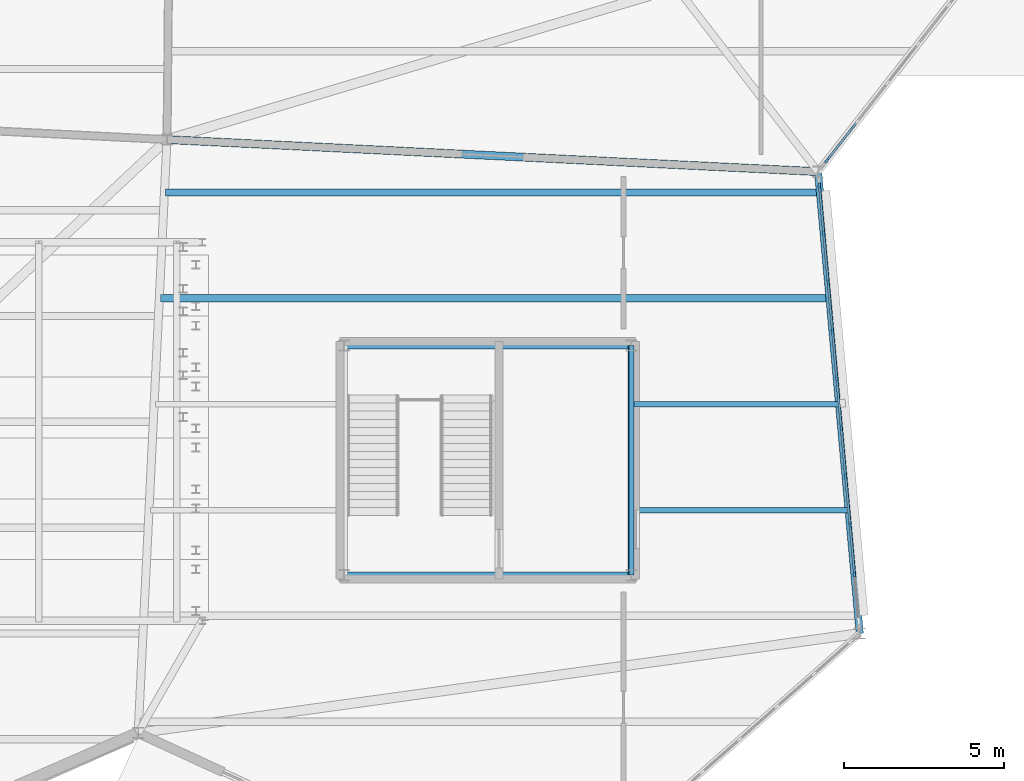
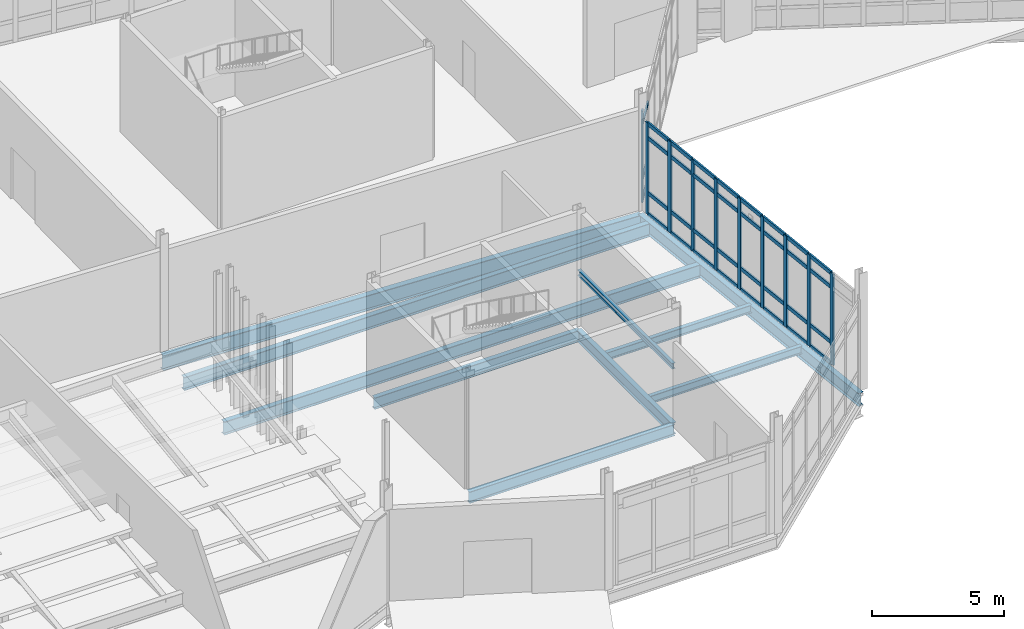
# One storey, part 27 of 113: 45 members, 10 beams, 2 elements without a shape of their own.
"""IFC4 building model written with IfcOpenShell, lengths in metres."""

from ifc_helpers import new_model, si_unit, direction, frame, origin, origin_2d, place, context, subcontext, project, spatial, rectangle, i_section, extrude, material, material_profile, profile_set, type_object, element, aggregate, save


model = new_model("IFC4")

# Units and contexts
model_context = context("Model", 3, precision=1e-05, world=origin(), true_north=direction((0.0, 1.0)))
body_context = subcontext(model_context, "Body", "Model", "MODEL_VIEW")
ifc_project = project(units=[si_unit("LENGTHUNIT", "METRE"), si_unit("AREAUNIT", "SQUARE_METRE"), si_unit("VOLUMEUNIT", "CUBIC_METRE"), si_unit("PLANEANGLEUNIT", "RADIAN"), si_unit("MASSUNIT", "GRAM", prefix="KILO")], contexts=[model_context])

# Site, building, storey
site_placement = place(None, origin())
site = spatial("IfcSite", under=ifc_project, at=site_placement, CompositionType="ELEMENT")
building_placement = place(site_placement, origin())
building = spatial("IfcBuilding", under=site, at=building_placement, Name="Tameran Prism Museum", CompositionType="ELEMENT")
storey_placement = place(building_placement, origin())
storey = spatial("IfcBuildingStorey", under=building, at=storey_placement, Name="L00", CompositionType="ELEMENT", Elevation=0.0)

# Beams
ifc_material_1 = material(Name="Steel Grade 300PLUS (300 MPa)", Category="steel")
ifc_material_profile_1 = material_profile(ifc_material_1, i_section(OverallWidth=0.172119140625, OverallDepth=0.35888671875, WebThickness=0.008056640625, FlangeThickness=0.012939453125, FilletRadius=0.011474609375, at=origin_2d()))
ifc_profile_set_1 = profile_set([ifc_material_profile_1])
beam_type_1 = type_object("IfcBeamType", Name="BM-J360A", PredefinedType="JOIST", material=ifc_profile_set_1)
beam_1_placement = place(storey_placement, frame((37.97998046875, 13.75, -0.41943359375), z_axis=(1.0, 0.0, 0.0), x_axis=(0.0, 1.0, 0.0)))
element("IfcBeam", 1, at=beam_1_placement, inside=storey, type_object=beam_type_1, Name="Floor Beam BM-0264", PredefinedType="JOIST", context=body_context, shape_type="SweptSolid", body=[
    extrude(i_section(OverallWidth=0.172119140625, OverallDepth=0.35888671875, WebThickness=0.008056640625, FlangeThickness=0.012939453125, FilletRadius=0.011474609375, at=origin_2d()), origin(), (0.0, 0.0, 1.0), 6.43408203125),
])
ifc_material_2 = material(Name="Steel Grade 300PLUS (300 MPa)", Category="steel")
ifc_material_profile_2 = material_profile(ifc_material_2, i_section(OverallWidth=0.1708984375, OverallDepth=0.35595703125, WebThickness=0.00732421875, FlangeThickness=0.011474609375, FilletRadius=0.011474609375, at=origin_2d()))
ifc_profile_set_2 = profile_set([ifc_material_profile_2])
beam_type_2 = type_object("IfcBeamType", Name="BM-J360B", PredefinedType="JOIST", material=ifc_profile_set_2)
beam_2_placement = place(storey_placement, frame((37.97998046875, 10.449951171875, -0.41796875), z_axis=(1.0, 0.0, 0.0), x_axis=(0.0, 1.0, 0.0)))
element("IfcBeam", 2, at=beam_2_placement, inside=storey, type_object=beam_type_2, Name="Floor Beam BM-0262", PredefinedType="JOIST", context=body_context, shape_type="SweptSolid", body=[
    extrude(i_section(OverallWidth=0.1708984375, OverallDepth=0.35595703125, WebThickness=0.00732421875, FlangeThickness=0.011474609375, FilletRadius=0.011474609375, at=origin_2d()), origin(), (0.0, 0.0, 1.0), 6.73193359375),
])
ifc_material_3 = material(Name="Steel Grade 300PLUS (300 MPa)", Category="steel")
ifc_material_profile_3 = material_profile(ifc_material_3, i_section(OverallWidth=0.14599609375, OverallDepth=0.256103515625, WebThickness=0.00634765625, FlangeThickness=0.010986328125, FilletRadius=0.0087890625, at=origin_2d()))
ifc_profile_set_3 = profile_set([ifc_material_profile_3])
beam_type_3 = type_object("IfcBeamType", Name="BM-L250", PredefinedType="LINTEL", material=ifc_profile_set_3)
beam_3_placement = place(storey_placement, frame((37.97998046875, 8.419921875, 2.3798828125), z_axis=(0.0, 1.0, 0.0), x_axis=(-1.0, 0.0, 0.0)))
element("IfcBeam", 3, at=beam_3_placement, inside=storey, type_object=beam_type_3, Name="Core Door Lintel LN-08", PredefinedType="LINTEL", context=body_context, shape_type="SweptSolid", body=[
    extrude(i_section(OverallWidth=0.14599609375, OverallDepth=0.256103515625, WebThickness=0.00634765625, FlangeThickness=0.010986328125, FilletRadius=0.0087890625, at=origin_2d()), origin(), (0.0, 0.0, 1.0), 7.16015625),
])
ifc_material_4 = material(Name="Steel Grade 300PLUS (300 MPa)", Category="steel")
ifc_material_profile_4 = material_profile(ifc_material_4, i_section(OverallWidth=0.208984375, OverallDepth=0.528076171875, WebThickness=0.009521484375, FlangeThickness=0.01318359375, FilletRadius=0.013916015625, at=origin_2d()))
ifc_profile_set_4 = profile_set([ifc_material_profile_4])
beam_type_4 = type_object("IfcBeamType", Name="BM-SP530B", PredefinedType="SPANDREL", material=ifc_profile_set_4)
beam_4_placement = place(storey_placement, frame((29.02001953125, 8.419921875, -0.50390625), z_axis=(1.0, 0.0, 0.0), x_axis=(0.0, 1.0, 0.0)))
element("IfcBeam", 4, at=beam_4_placement, inside=storey, type_object=beam_type_4, Name="Core Ring Beam CTB-0130", PredefinedType="SPANDREL", context=body_context, shape_type="SweptSolid", body=[
    extrude(i_section(OverallWidth=0.208984375, OverallDepth=0.528076171875, WebThickness=0.009521484375, FlangeThickness=0.01318359375, FilletRadius=0.013916015625, at=origin_2d()), origin(), (0.0, 0.0, 1.0), 8.9599609375),
])
beam_5_placement = place(storey_placement, frame((37.97998046875, 8.419921875, -0.50390625), z_axis=(0.0, 1.0, 0.0), x_axis=(-1.0, 0.0, 0.0)))
element("IfcBeam", 5, at=beam_5_placement, inside=storey, type_object=beam_type_4, Name="Core Ring Beam CTB-0131", PredefinedType="SPANDREL", context=body_context, shape_type="SweptSolid", body=[
    extrude(i_section(OverallWidth=0.208984375, OverallDepth=0.528076171875, WebThickness=0.009521484375, FlangeThickness=0.01318359375, FilletRadius=0.013916015625, at=origin_2d()), origin(), (0.0, 0.0, 1.0), 7.16015625),
])
beam_6_placement = place(storey_placement, frame((37.97998046875, 15.580078125, -0.50390625), z_axis=(-1.0, 0.0, 0.0), x_axis=(0.0, -1.0, 0.0)))
element("IfcBeam", 6, at=beam_6_placement, inside=storey, type_object=beam_type_4, Name="Core Ring Beam CTB-0132", PredefinedType="SPANDREL", context=body_context, shape_type="SweptSolid", body=[
    extrude(i_section(OverallWidth=0.208984375, OverallDepth=0.528076171875, WebThickness=0.009521484375, FlangeThickness=0.01318359375, FilletRadius=0.013916015625, at=origin_2d()), origin(), (0.0, 0.0, 1.0), 8.9599609375),
])
ifc_material_5 = material(Name="Steel Grade 300PLUS (300 MPa)", Category="steel")
ifc_material_profile_5 = material_profile(ifc_material_5, i_section(OverallWidth=0.22802734375, OverallDepth=0.60205078125, WebThickness=0.010498046875, FlangeThickness=0.014892578125, FilletRadius=0.013916015625, at=origin_2d()))
ifc_profile_set_5 = profile_set([ifc_material_profile_5])
beam_type_5 = type_object("IfcBeamType", Name="BM-SP610", PredefinedType="SPANDREL", material=ifc_profile_set_5)
beam_7_placement = place(storey_placement, frame((45.10009765625, 6.60009765625, -0.541015625), z_axis=(-0.089916080565, 0.995949345326, 0.0), x_axis=(-0.995949345326, -0.089916080565, 0.0)))
element("IfcBeam", 7, at=beam_7_placement, inside=storey, type_object=beam_type_5, Name="Perimeter Spandrel SP-0065", PredefinedType="SPANDREL", context=body_context, shape_type="SweptSolid", body=[
    extrude(i_section(OverallWidth=0.22802734375, OverallDepth=0.60205078125, WebThickness=0.010498046875, FlangeThickness=0.014892578125, FilletRadius=0.013916015625, at=origin_2d()), origin(), (0.0, 0.0, 1.0), 14.45849609375),
])
ifc_material_6 = material(Name="Steel Grade 350 (350 MPa)", Category="steel")
ifc_material_profile_6 = material_profile(ifc_material_6, i_section(OverallWidth=0.25, OverallDepth=0.699951171875, WebThickness=0.010009765625, FlangeThickness=0.02001953125, at=origin_2d()))
ifc_profile_set_6 = profile_set([ifc_material_profile_6])
beam_type_6 = type_object("IfcBeamType", Name="BM-SP700", PredefinedType="SPANDREL", material=ifc_profile_set_6)
beam_8_placement = place(storey_placement, frame((43.800048828125, 21.0, -0.590087890625), z_axis=(-0.998788882418, 0.049201304434, 0.0), x_axis=(-0.049201304434, -0.998788882418, 0.0)))
element("IfcBeam", 8, at=beam_8_placement, inside=storey, type_object=beam_type_6, Name="Perimeter Spandrel SP-0066", PredefinedType="SPANDREL", context=body_context, shape_type="SweptSolid", body=[
    extrude(i_section(OverallWidth=0.25, OverallDepth=0.699951171875, WebThickness=0.010009765625, FlangeThickness=0.02001953125, at=origin_2d()), origin(), (0.0, 0.0, 1.0), 20.32470703125),
])
ifc_material_7 = material(Name="Steel Grade 300PLUS (300 MPa)", Category="steel")
ifc_material_profile_7 = material_profile(ifc_material_7, i_section(OverallWidth=0.22802734375, OverallDepth=0.60693359375, WebThickness=0.01123046875, FlangeThickness=0.017333984375, FilletRadius=0.013916015625, at=origin_2d()))
ifc_profile_set_7 = profile_set([ifc_material_profile_7])
beam_type_7 = type_object("IfcBeamType", Name="BM-UB610B", PredefinedType="BEAM", material=ifc_profile_set_7)
beam_9_placement = place(storey_placement, frame((23.299072265625, 17.050048828125, -0.54345703125), z_axis=(1.0, 0.0, 0.0), x_axis=(0.0, 1.0, 0.0)))
element("IfcBeam", 9, at=beam_9_placement, inside=storey, type_object=beam_type_7, Name="Floor Beam BM-0265", PredefinedType="BEAM", context=body_context, shape_type="SweptSolid", body=[
    extrude(i_section(OverallWidth=0.22802734375, OverallDepth=0.60693359375, WebThickness=0.01123046875, FlangeThickness=0.017333984375, FilletRadius=0.013916015625, at=origin_2d()), origin(), (0.0, 0.0, 1.0), 20.81689453125),
])
beam_10_placement = place(storey_placement, frame((23.4599609375, 20.35009765625, -0.54345703125), z_axis=(1.0, 0.0, 0.0), x_axis=(0.0, 1.0, 0.0)))
element("IfcBeam", 10, at=beam_10_placement, inside=storey, type_object=beam_type_7, Name="Floor Beam BM-0266", PredefinedType="BEAM", context=body_context, shape_type="SweptSolid", body=[
    extrude(i_section(OverallWidth=0.22802734375, OverallDepth=0.60693359375, WebThickness=0.01123046875, FlangeThickness=0.017333984375, FilletRadius=0.013916015625, at=origin_2d()), origin(), (0.0, 0.0, 1.0), 20.359130859375),
])

# Curtain wall, member
ifc_material_8 = material(Name="Anodised Aluminium 6063-T6 and Cyclone Solar Glass", Category="aluminium")
curtain_wall_type_1 = type_object("IfcCurtainWallType", Name="CW-FAC-1086x422", PredefinedType="USERDEFINED", material=ifc_material_8)
curtain_wall_1_placement = place(storey_placement, origin())
curtain_wall_1 = element("IfcCurtainWall", 11, at=curtain_wall_1_placement, inside=storey, type_object=curtain_wall_type_1, Name="Unitised Curtain Wall CW-048", ObjectType="UNITISED CURTAIN WALL", PredefinedType="USERDEFINED")
ifc_material_9 = material(Name="Anodised Aluminium Alloy 6063-T6", Category="aluminium")
ifc_material_profile_8 = material_profile(ifc_material_9, rectangle(XDim=0.070068359375, YDim=0.179931640625, at=origin_2d()))
ifc_profile_set_8 = profile_set([ifc_material_profile_8])
member_type_1 = type_object("IfcMemberType", Name="CW-MUL-B", PredefinedType="MULLION", material=ifc_profile_set_8)
member_1_placement = place(storey_placement, frame((44.074462890625, 21.3505859375, 0.0), z_axis=(0.0, 0.0, 1.0), x_axis=(0.787524428179, -0.616283437245, 0.0)))
member_1 = element("IfcMember", 12, at=member_1_placement, type_object=member_type_1, Name="CW-048 mullion 8", PredefinedType="MULLION", context=body_context, shape_type="SweptSolid", body=[
    extrude(rectangle(XDim=0.070068359375, YDim=0.179931640625, at=origin_2d()), origin(), (0.0, 0.0, 1.0), 4.219970703125),
])

# Curtain wall, members
ifc_material_10 = material(Name="Anodised Aluminium 6063-T6 and Cyclone Solar Glass", Category="aluminium")
curtain_wall_type_2 = type_object("IfcCurtainWallType", Name="CW-FAC-1370x422", PredefinedType="USERDEFINED", material=ifc_material_10)
curtain_wall_2_placement = place(storey_placement, origin())
curtain_wall_2 = element("IfcCurtainWall", 13, at=curtain_wall_2_placement, inside=storey, type_object=curtain_wall_type_2, Name="Unitised Curtain Wall CW-045", ObjectType="UNITISED CURTAIN WALL", PredefinedType="USERDEFINED")
ifc_material_11 = material(Name="Anodised Aluminium Alloy 6063-T6", Category="aluminium")
ifc_material_profile_9 = material_profile(ifc_material_11, rectangle(XDim=0.074951171875, YDim=0.199951171875, at=origin_2d()))
ifc_profile_set_9 = profile_set([ifc_material_profile_9])
member_type_2 = type_object("IfcMemberType", Name="CW-MUL-C", PredefinedType="MULLION", material=ifc_profile_set_9)
member_2_placement = place(storey_placement, frame((43.83935546875, 20.5537109375, 0.0), z_axis=(0.0, 0.0, 1.0), x_axis=(0.995940344723, 0.090015719474, 0.0)))
member_2 = element("IfcMember", 14, at=member_2_placement, type_object=member_type_2, Name="CW-045 mullion 1", PredefinedType="MULLION", context=body_context, shape_type="SweptSolid", body=[
    extrude(rectangle(XDim=0.074951171875, YDim=0.199951171875, at=origin_2d()), origin(), (0.0, 0.0, 1.0), 4.219970703125),
])
member_3_placement = place(storey_placement, frame((43.972900390625, 19.0751953125, 0.0), z_axis=(0.0, 0.0, 1.0), x_axis=(0.995940344723, 0.090015719474, 0.0)))
member_3 = element("IfcMember", 15, at=member_3_placement, type_object=member_type_2, Name="CW-045 mullion 2", PredefinedType="MULLION", context=body_context, shape_type="SweptSolid", body=[
    extrude(rectangle(XDim=0.074951171875, YDim=0.199951171875, at=origin_2d()), origin(), (0.0, 0.0, 1.0), 4.219970703125),
])
member_4_placement = place(storey_placement, frame((44.110107421875, 17.559326171875, 0.0), z_axis=(0.0, 0.0, 1.0), x_axis=(0.995940344723, 0.090015719474, 0.0)))
member_4 = element("IfcMember", 16, at=member_4_placement, type_object=member_type_2, Name="CW-045 mullion 3", PredefinedType="MULLION", context=body_context, shape_type="SweptSolid", body=[
    extrude(rectangle(XDim=0.074951171875, YDim=0.199951171875, at=origin_2d()), origin(), (0.0, 0.0, 1.0), 4.219970703125),
])
member_5_placement = place(storey_placement, frame((44.2470703125, 16.043701171875, 0.0), z_axis=(0.0, 0.0, 1.0), x_axis=(0.995940344723, 0.090015719474, 0.0)))
member_5 = element("IfcMember", 17, at=member_5_placement, type_object=member_type_2, Name="CW-045 mullion 4", PredefinedType="MULLION", context=body_context, shape_type="SweptSolid", body=[
    extrude(rectangle(XDim=0.074951171875, YDim=0.199951171875, at=origin_2d()), origin(), (0.0, 0.0, 1.0), 4.219970703125),
])
member_6_placement = place(storey_placement, frame((44.384033203125, 14.52783203125, 0.0), z_axis=(0.0, 0.0, 1.0), x_axis=(0.995940344723, 0.090015719474, 0.0)))
member_6 = element("IfcMember", 18, at=member_6_placement, type_object=member_type_2, Name="CW-045 mullion 5", PredefinedType="MULLION", context=body_context, shape_type="SweptSolid", body=[
    extrude(rectangle(XDim=0.074951171875, YDim=0.199951171875, at=origin_2d()), origin(), (0.0, 0.0, 1.0), 4.219970703125),
])
member_7_placement = place(storey_placement, frame((44.52099609375, 13.01220703125, 0.0), z_axis=(0.0, 0.0, 1.0), x_axis=(0.995940344723, 0.090015719474, 0.0)))
member_7 = element("IfcMember", 19, at=member_7_placement, type_object=member_type_2, Name="CW-045 mullion 6", PredefinedType="MULLION", context=body_context, shape_type="SweptSolid", body=[
    extrude(rectangle(XDim=0.074951171875, YDim=0.199951171875, at=origin_2d()), origin(), (0.0, 0.0, 1.0), 4.219970703125),
])
member_8_placement = place(storey_placement, frame((44.657958984375, 11.496337890625, 0.0), z_axis=(0.0, 0.0, 1.0), x_axis=(0.995940344723, 0.090015719474, 0.0)))
member_8 = element("IfcMember", 20, at=member_8_placement, type_object=member_type_2, Name="CW-045 mullion 7", PredefinedType="MULLION", context=body_context, shape_type="SweptSolid", body=[
    extrude(rectangle(XDim=0.074951171875, YDim=0.199951171875, at=origin_2d()), origin(), (0.0, 0.0, 1.0), 4.219970703125),
])
member_9_placement = place(storey_placement, frame((44.794921875, 9.98046875, 0.0), z_axis=(0.0, 0.0, 1.0), x_axis=(0.995940344723, 0.090015719474, 0.0)))
member_9 = element("IfcMember", 21, at=member_9_placement, type_object=member_type_2, Name="CW-045 mullion 8", PredefinedType="MULLION", context=body_context, shape_type="SweptSolid", body=[
    extrude(rectangle(XDim=0.074951171875, YDim=0.199951171875, at=origin_2d()), origin(), (0.0, 0.0, 1.0), 4.219970703125),
])
member_10_placement = place(storey_placement, frame((44.931884765625, 8.46484375, 0.0), z_axis=(0.0, 0.0, 1.0), x_axis=(0.995940344723, 0.090015719474, 0.0)))
member_10 = element("IfcMember", 22, at=member_10_placement, type_object=member_type_2, Name="CW-045 mullion 9", PredefinedType="MULLION", context=body_context, shape_type="SweptSolid", body=[
    extrude(rectangle(XDim=0.074951171875, YDim=0.199951171875, at=origin_2d()), origin(), (0.0, 0.0, 1.0), 4.219970703125),
])

# Member
ifc_material_12 = material(Name="Anodised Aluminium Alloy 6063-T6", Category="aluminium")
ifc_material_profile_10 = material_profile(ifc_material_12, rectangle(XDim=0.070068359375, YDim=0.155029296875, at=origin_2d()))
ifc_profile_set_10 = profile_set([ifc_material_profile_10])
member_type_3 = type_object("IfcMemberType", Name="CW-TRN-B", PredefinedType="USERDEFINED", material=ifc_profile_set_10)
member_11_placement = place(storey_placement, frame((44.98779296875, 22.517333984375, 0.034912109375), z_axis=(-0.616344666052, -0.787476509255, 0.0), x_axis=(0.787476509255, -0.616344666052, 0.0)))
member_11 = element("IfcMember", 23, at=member_11_placement, type_object=member_type_3, Name="CW-048 transom 7.1", ObjectType="TRANSOM", PredefinedType="USERDEFINED", context=body_context, shape_type="SweptSolid", body=[
    extrude(rectangle(XDim=0.070068359375, YDim=0.155029296875, at=origin_2d()), origin(), (0.0, 0.0, 1.0), 1.446533203125),
])

member_12_placement = place(storey_placement, frame((44.98779296875, 22.517333984375, 1.0), z_axis=(-0.616344666052, -0.787476509255, 0.0), x_axis=(0.787476509255, -0.616344666052, 0.0)))
member_12 = element("IfcMember", 24, at=member_12_placement, type_object=member_type_3, Name="CW-048 transom 7.2", ObjectType="TRANSOM", PredefinedType="USERDEFINED", context=body_context, shape_type="SweptSolid", body=[
    extrude(rectangle(XDim=0.070068359375, YDim=0.155029296875, at=origin_2d()), origin(), (0.0, 0.0, 1.0), 1.446533203125),
])

member_13_placement = place(storey_placement, frame((44.98779296875, 22.517333984375, 3.5400390625), z_axis=(-0.616344666052, -0.787476509255, 0.0), x_axis=(0.787476509255, -0.616344666052, 0.0)))
member_13 = element("IfcMember", 25, at=member_13_placement, type_object=member_type_3, Name="CW-048 transom 7.3", ObjectType="TRANSOM", PredefinedType="USERDEFINED", context=body_context, shape_type="SweptSolid", body=[
    extrude(rectangle(XDim=0.070068359375, YDim=0.155029296875, at=origin_2d()), origin(), (0.0, 0.0, 1.0), 1.446533203125),
])

aggregate(curtain_wall_1, [member_1, member_11, member_12, member_13])

ifc_material_13 = material(Name="Anodised Aluminium Alloy 6063-T6", Category="aluminium")
ifc_material_profile_11 = material_profile(ifc_material_13, rectangle(XDim=0.074951171875, YDim=0.175048828125, at=origin_2d()))
ifc_profile_set_11 = profile_set([ifc_material_profile_11])
member_type_4 = type_object("IfcMemberType", Name="CW-TRN-C", PredefinedType="USERDEFINED", material=ifc_profile_set_11)
member_14_placement = place(storey_placement, frame((43.8427734375, 20.516357421875, 0.03759765625), z_axis=(0.090067227432, -0.995935687955, 0.0), x_axis=(0.995935687955, 0.090067227432, 0.0)))
member_14 = element("IfcMember", 26, at=member_14_placement, type_object=member_type_4, Name="CW-045 transom 1.1", ObjectType="TRANSOM", PredefinedType="USERDEFINED", context=body_context, shape_type="SweptSolid", body=[
    extrude(rectangle(XDim=0.074951171875, YDim=0.175048828125, at=origin_2d()), origin(), (0.0, 0.0, 1.0), 1.409423828125),
])

member_15_placement = place(storey_placement, frame((43.8427734375, 20.516357421875, 1.0), z_axis=(0.090067227432, -0.995935687955, 0.0), x_axis=(0.995935687955, 0.090067227432, 0.0)))
member_15 = element("IfcMember", 27, at=member_15_placement, type_object=member_type_4, Name="CW-045 transom 1.2", ObjectType="TRANSOM", PredefinedType="USERDEFINED", context=body_context, shape_type="SweptSolid", body=[
    extrude(rectangle(XDim=0.074951171875, YDim=0.175048828125, at=origin_2d()), origin(), (0.0, 0.0, 1.0), 1.409423828125),
])

member_16_placement = place(storey_placement, frame((43.8427734375, 20.516357421875, 3.5400390625), z_axis=(0.090067227432, -0.995935687955, 0.0), x_axis=(0.995935687955, 0.090067227432, 0.0)))
member_16 = element("IfcMember", 28, at=member_16_placement, type_object=member_type_4, Name="CW-045 transom 1.3", ObjectType="TRANSOM", PredefinedType="USERDEFINED", context=body_context, shape_type="SweptSolid", body=[
    extrude(rectangle(XDim=0.074951171875, YDim=0.175048828125, at=origin_2d()), origin(), (0.0, 0.0, 1.0), 1.409423828125),
])

member_17_placement = place(storey_placement, frame((43.8427734375, 20.516357421875, 4.1826171875), z_axis=(0.090067227432, -0.995935687955, 0.0), x_axis=(0.995935687955, 0.090067227432, 0.0)))
member_17 = element("IfcMember", 29, at=member_17_placement, type_object=member_type_4, Name="CW-045 transom 1.4", ObjectType="TRANSOM", PredefinedType="USERDEFINED", context=body_context, shape_type="SweptSolid", body=[
    extrude(rectangle(XDim=0.074951171875, YDim=0.175048828125, at=origin_2d()), origin(), (0.0, 0.0, 1.0), 1.409423828125),
])

member_18_placement = place(storey_placement, frame((43.976318359375, 19.037841796875, 0.03759765625), z_axis=(0.090094585127, -0.995933213489, 0.0), x_axis=(0.995933213489, 0.090094585127, 0.0)))
member_18 = element("IfcMember", 30, at=member_18_placement, type_object=member_type_4, Name="CW-045 transom 2.1", ObjectType="TRANSOM", PredefinedType="USERDEFINED", context=body_context, shape_type="SweptSolid", body=[
    extrude(rectangle(XDim=0.074951171875, YDim=0.175048828125, at=origin_2d()), origin(), (0.0, 0.0, 1.0), 1.447021484375),
])

member_19_placement = place(storey_placement, frame((43.976318359375, 19.037841796875, 1.0), z_axis=(0.090094585127, -0.995933213489, 0.0), x_axis=(0.995933213489, 0.090094585127, 0.0)))
member_19 = element("IfcMember", 31, at=member_19_placement, type_object=member_type_4, Name="CW-045 transom 2.2", ObjectType="TRANSOM", PredefinedType="USERDEFINED", context=body_context, shape_type="SweptSolid", body=[
    extrude(rectangle(XDim=0.074951171875, YDim=0.175048828125, at=origin_2d()), origin(), (0.0, 0.0, 1.0), 1.447021484375),
])

member_20_placement = place(storey_placement, frame((43.976318359375, 19.037841796875, 3.5400390625), z_axis=(0.090094585127, -0.995933213489, 0.0), x_axis=(0.995933213489, 0.090094585127, 0.0)))
member_20 = element("IfcMember", 32, at=member_20_placement, type_object=member_type_4, Name="CW-045 transom 2.3", ObjectType="TRANSOM", PredefinedType="USERDEFINED", context=body_context, shape_type="SweptSolid", body=[
    extrude(rectangle(XDim=0.074951171875, YDim=0.175048828125, at=origin_2d()), origin(), (0.0, 0.0, 1.0), 1.447021484375),
])

member_21_placement = place(storey_placement, frame((43.976318359375, 19.037841796875, 4.1826171875), z_axis=(0.090094585127, -0.995933213489, 0.0), x_axis=(0.995933213489, 0.090094585127, 0.0)))
member_21 = element("IfcMember", 33, at=member_21_placement, type_object=member_type_4, Name="CW-045 transom 2.4", ObjectType="TRANSOM", PredefinedType="USERDEFINED", context=body_context, shape_type="SweptSolid", body=[
    extrude(rectangle(XDim=0.074951171875, YDim=0.175048828125, at=origin_2d()), origin(), (0.0, 0.0, 1.0), 1.447021484375),
])

member_22_placement = place(storey_placement, frame((44.11328125, 17.522216796875, 0.03759765625), z_axis=(0.090094585127, -0.995933213489, 0.0), x_axis=(0.995933213489, 0.090094585127, 0.0)))
member_22 = element("IfcMember", 34, at=member_22_placement, type_object=member_type_4, Name="CW-045 transom 3.1", ObjectType="TRANSOM", PredefinedType="USERDEFINED", context=body_context, shape_type="SweptSolid", body=[
    extrude(rectangle(XDim=0.074951171875, YDim=0.175048828125, at=origin_2d()), origin(), (0.0, 0.0, 1.0), 1.447021484375),
])

member_23_placement = place(storey_placement, frame((44.11328125, 17.522216796875, 1.0), z_axis=(0.090094585127, -0.995933213489, 0.0), x_axis=(0.995933213489, 0.090094585127, 0.0)))
member_23 = element("IfcMember", 35, at=member_23_placement, type_object=member_type_4, Name="CW-045 transom 3.2", ObjectType="TRANSOM", PredefinedType="USERDEFINED", context=body_context, shape_type="SweptSolid", body=[
    extrude(rectangle(XDim=0.074951171875, YDim=0.175048828125, at=origin_2d()), origin(), (0.0, 0.0, 1.0), 1.447021484375),
])

member_24_placement = place(storey_placement, frame((44.11328125, 17.522216796875, 3.5400390625), z_axis=(0.090094585127, -0.995933213489, 0.0), x_axis=(0.995933213489, 0.090094585127, 0.0)))
member_24 = element("IfcMember", 36, at=member_24_placement, type_object=member_type_4, Name="CW-045 transom 3.3", ObjectType="TRANSOM", PredefinedType="USERDEFINED", context=body_context, shape_type="SweptSolid", body=[
    extrude(rectangle(XDim=0.074951171875, YDim=0.175048828125, at=origin_2d()), origin(), (0.0, 0.0, 1.0), 1.447021484375),
])

member_25_placement = place(storey_placement, frame((44.11328125, 17.522216796875, 4.1826171875), z_axis=(0.090094585127, -0.995933213489, 0.0), x_axis=(0.995933213489, 0.090094585127, 0.0)))
member_25 = element("IfcMember", 37, at=member_25_placement, type_object=member_type_4, Name="CW-045 transom 3.4", ObjectType="TRANSOM", PredefinedType="USERDEFINED", context=body_context, shape_type="SweptSolid", body=[
    extrude(rectangle(XDim=0.074951171875, YDim=0.175048828125, at=origin_2d()), origin(), (0.0, 0.0, 1.0), 1.447021484375),
])

member_26_placement = place(storey_placement, frame((44.25048828125, 16.00634765625, 0.03759765625), z_axis=(0.089927234339, -0.995948338281, 0.0), x_axis=(0.995948338281, 0.089927234339, 0.0)))
member_26 = element("IfcMember", 38, at=member_26_placement, type_object=member_type_4, Name="CW-045 transom 4.1", ObjectType="TRANSOM", PredefinedType="USERDEFINED", context=body_context, shape_type="SweptSolid", body=[
    extrude(rectangle(XDim=0.074951171875, YDim=0.175048828125, at=origin_2d()), origin(), (0.0, 0.0, 1.0), 1.447021484375),
])

member_27_placement = place(storey_placement, frame((44.25048828125, 16.00634765625, 1.0), z_axis=(0.089927234339, -0.995948338281, 0.0), x_axis=(0.995948338281, 0.089927234339, 0.0)))
member_27 = element("IfcMember", 39, at=member_27_placement, type_object=member_type_4, Name="CW-045 transom 4.2", ObjectType="TRANSOM", PredefinedType="USERDEFINED", context=body_context, shape_type="SweptSolid", body=[
    extrude(rectangle(XDim=0.074951171875, YDim=0.175048828125, at=origin_2d()), origin(), (0.0, 0.0, 1.0), 1.447021484375),
])

member_28_placement = place(storey_placement, frame((44.25048828125, 16.00634765625, 3.5400390625), z_axis=(0.089927234339, -0.995948338281, 0.0), x_axis=(0.995948338281, 0.089927234339, 0.0)))
member_28 = element("IfcMember", 40, at=member_28_placement, type_object=member_type_4, Name="CW-045 transom 4.3", ObjectType="TRANSOM", PredefinedType="USERDEFINED", context=body_context, shape_type="SweptSolid", body=[
    extrude(rectangle(XDim=0.074951171875, YDim=0.175048828125, at=origin_2d()), origin(), (0.0, 0.0, 1.0), 1.447021484375),
])

member_29_placement = place(storey_placement, frame((44.25048828125, 16.00634765625, 4.1826171875), z_axis=(0.089927234339, -0.995948338281, 0.0), x_axis=(0.995948338281, 0.089927234339, 0.0)))
member_29 = element("IfcMember", 41, at=member_29_placement, type_object=member_type_4, Name="CW-045 transom 4.4", ObjectType="TRANSOM", PredefinedType="USERDEFINED", context=body_context, shape_type="SweptSolid", body=[
    extrude(rectangle(XDim=0.074951171875, YDim=0.175048828125, at=origin_2d()), origin(), (0.0, 0.0, 1.0), 1.447021484375),
])

member_30_placement = place(storey_placement, frame((44.387451171875, 14.490478515625, 0.03759765625), z_axis=(0.089942347829, -0.995946973522, 0.0), x_axis=(0.995946973522, 0.089942347829, 0.0)))
member_30 = element("IfcMember", 42, at=member_30_placement, type_object=member_type_4, Name="CW-045 transom 5.1", ObjectType="TRANSOM", PredefinedType="USERDEFINED", context=body_context, shape_type="SweptSolid", body=[
    extrude(rectangle(XDim=0.074951171875, YDim=0.175048828125, at=origin_2d()), origin(), (0.0, 0.0, 1.0), 1.44677734375),
])

member_31_placement = place(storey_placement, frame((44.387451171875, 14.490478515625, 1.0), z_axis=(0.089942347829, -0.995946973522, 0.0), x_axis=(0.995946973522, 0.089942347829, 0.0)))
member_31 = element("IfcMember", 43, at=member_31_placement, type_object=member_type_4, Name="CW-045 transom 5.2", ObjectType="TRANSOM", PredefinedType="USERDEFINED", context=body_context, shape_type="SweptSolid", body=[
    extrude(rectangle(XDim=0.074951171875, YDim=0.175048828125, at=origin_2d()), origin(), (0.0, 0.0, 1.0), 1.44677734375),
])

member_32_placement = place(storey_placement, frame((44.387451171875, 14.490478515625, 3.5400390625), z_axis=(0.089942347829, -0.995946973522, 0.0), x_axis=(0.995946973522, 0.089942347829, 0.0)))
member_32 = element("IfcMember", 44, at=member_32_placement, type_object=member_type_4, Name="CW-045 transom 5.3", ObjectType="TRANSOM", PredefinedType="USERDEFINED", context=body_context, shape_type="SweptSolid", body=[
    extrude(rectangle(XDim=0.074951171875, YDim=0.175048828125, at=origin_2d()), origin(), (0.0, 0.0, 1.0), 1.44677734375),
])

member_33_placement = place(storey_placement, frame((44.387451171875, 14.490478515625, 4.1826171875), z_axis=(0.089942347829, -0.995946973522, 0.0), x_axis=(0.995946973522, 0.089942347829, 0.0)))
member_33 = element("IfcMember", 45, at=member_33_placement, type_object=member_type_4, Name="CW-045 transom 5.4", ObjectType="TRANSOM", PredefinedType="USERDEFINED", context=body_context, shape_type="SweptSolid", body=[
    extrude(rectangle(XDim=0.074951171875, YDim=0.175048828125, at=origin_2d()), origin(), (0.0, 0.0, 1.0), 1.44677734375),
])

member_34_placement = place(storey_placement, frame((44.5244140625, 12.974853515625, 0.03759765625), z_axis=(0.089927234339, -0.995948338281, 0.0), x_axis=(0.995948338281, 0.089927234339, 0.0)))
member_34 = element("IfcMember", 46, at=member_34_placement, type_object=member_type_4, Name="CW-045 transom 6.1", ObjectType="TRANSOM", PredefinedType="USERDEFINED", context=body_context, shape_type="SweptSolid", body=[
    extrude(rectangle(XDim=0.074951171875, YDim=0.175048828125, at=origin_2d()), origin(), (0.0, 0.0, 1.0), 1.447021484375),
])

member_35_placement = place(storey_placement, frame((44.5244140625, 12.974853515625, 1.0), z_axis=(0.089927234339, -0.995948338281, 0.0), x_axis=(0.995948338281, 0.089927234339, 0.0)))
member_35 = element("IfcMember", 47, at=member_35_placement, type_object=member_type_4, Name="CW-045 transom 6.2", ObjectType="TRANSOM", PredefinedType="USERDEFINED", context=body_context, shape_type="SweptSolid", body=[
    extrude(rectangle(XDim=0.074951171875, YDim=0.175048828125, at=origin_2d()), origin(), (0.0, 0.0, 1.0), 1.447021484375),
])

member_36_placement = place(storey_placement, frame((44.5244140625, 12.974853515625, 3.5400390625), z_axis=(0.089927234339, -0.995948338281, 0.0), x_axis=(0.995948338281, 0.089927234339, 0.0)))
member_36 = element("IfcMember", 48, at=member_36_placement, type_object=member_type_4, Name="CW-045 transom 6.3", ObjectType="TRANSOM", PredefinedType="USERDEFINED", context=body_context, shape_type="SweptSolid", body=[
    extrude(rectangle(XDim=0.074951171875, YDim=0.175048828125, at=origin_2d()), origin(), (0.0, 0.0, 1.0), 1.447021484375),
])

member_37_placement = place(storey_placement, frame((44.5244140625, 12.974853515625, 4.1826171875), z_axis=(0.089927234339, -0.995948338281, 0.0), x_axis=(0.995948338281, 0.089927234339, 0.0)))
member_37 = element("IfcMember", 49, at=member_37_placement, type_object=member_type_4, Name="CW-045 transom 6.4", ObjectType="TRANSOM", PredefinedType="USERDEFINED", context=body_context, shape_type="SweptSolid", body=[
    extrude(rectangle(XDim=0.074951171875, YDim=0.175048828125, at=origin_2d()), origin(), (0.0, 0.0, 1.0), 1.447021484375),
])

member_38_placement = place(storey_placement, frame((44.661376953125, 11.458984375, 0.03759765625), z_axis=(0.089927234339, -0.995948338281, 0.0), x_axis=(0.995948338281, 0.089927234339, 0.0)))
member_38 = element("IfcMember", 50, at=member_38_placement, type_object=member_type_4, Name="CW-045 transom 7.1", ObjectType="TRANSOM", PredefinedType="USERDEFINED", context=body_context, shape_type="SweptSolid", body=[
    extrude(rectangle(XDim=0.074951171875, YDim=0.175048828125, at=origin_2d()), origin(), (0.0, 0.0, 1.0), 1.447021484375),
])

member_39_placement = place(storey_placement, frame((44.661376953125, 11.458984375, 1.0), z_axis=(0.089927234339, -0.995948338281, 0.0), x_axis=(0.995948338281, 0.089927234339, 0.0)))
member_39 = element("IfcMember", 51, at=member_39_placement, type_object=member_type_4, Name="CW-045 transom 7.2", ObjectType="TRANSOM", PredefinedType="USERDEFINED", context=body_context, shape_type="SweptSolid", body=[
    extrude(rectangle(XDim=0.074951171875, YDim=0.175048828125, at=origin_2d()), origin(), (0.0, 0.0, 1.0), 1.447021484375),
])

member_40_placement = place(storey_placement, frame((44.661376953125, 11.458984375, 3.5400390625), z_axis=(0.089927234339, -0.995948338281, 0.0), x_axis=(0.995948338281, 0.089927234339, 0.0)))
member_40 = element("IfcMember", 52, at=member_40_placement, type_object=member_type_4, Name="CW-045 transom 7.3", ObjectType="TRANSOM", PredefinedType="USERDEFINED", context=body_context, shape_type="SweptSolid", body=[
    extrude(rectangle(XDim=0.074951171875, YDim=0.175048828125, at=origin_2d()), origin(), (0.0, 0.0, 1.0), 1.447021484375),
])

member_41_placement = place(storey_placement, frame((44.661376953125, 11.458984375, 4.1826171875), z_axis=(0.089927234339, -0.995948338281, 0.0), x_axis=(0.995948338281, 0.089927234339, 0.0)))
member_41 = element("IfcMember", 53, at=member_41_placement, type_object=member_type_4, Name="CW-045 transom 7.4", ObjectType="TRANSOM", PredefinedType="USERDEFINED", context=body_context, shape_type="SweptSolid", body=[
    extrude(rectangle(XDim=0.074951171875, YDim=0.175048828125, at=origin_2d()), origin(), (0.0, 0.0, 1.0), 1.447021484375),
])

member_42_placement = place(storey_placement, frame((44.79833984375, 9.943115234375, 0.03759765625), z_axis=(0.090109726282, -0.995931843667, 0.0), x_axis=(0.995931843667, 0.090109726282, 0.0)))
member_42 = element("IfcMember", 54, at=member_42_placement, type_object=member_type_4, Name="CW-045 transom 8.1", ObjectType="TRANSOM", PredefinedType="USERDEFINED", context=body_context, shape_type="SweptSolid", body=[
    extrude(rectangle(XDim=0.074951171875, YDim=0.175048828125, at=origin_2d()), origin(), (0.0, 0.0, 1.0), 1.44677734375),
])

member_43_placement = place(storey_placement, frame((44.79833984375, 9.943115234375, 1.0), z_axis=(0.090109726282, -0.995931843667, 0.0), x_axis=(0.995931843667, 0.090109726282, 0.0)))
member_43 = element("IfcMember", 55, at=member_43_placement, type_object=member_type_4, Name="CW-045 transom 8.2", ObjectType="TRANSOM", PredefinedType="USERDEFINED", context=body_context, shape_type="SweptSolid", body=[
    extrude(rectangle(XDim=0.074951171875, YDim=0.175048828125, at=origin_2d()), origin(), (0.0, 0.0, 1.0), 1.44677734375),
])

member_44_placement = place(storey_placement, frame((44.79833984375, 9.943115234375, 3.5400390625), z_axis=(0.090109726282, -0.995931843667, 0.0), x_axis=(0.995931843667, 0.090109726282, 0.0)))
member_44 = element("IfcMember", 56, at=member_44_placement, type_object=member_type_4, Name="CW-045 transom 8.3", ObjectType="TRANSOM", PredefinedType="USERDEFINED", context=body_context, shape_type="SweptSolid", body=[
    extrude(rectangle(XDim=0.074951171875, YDim=0.175048828125, at=origin_2d()), origin(), (0.0, 0.0, 1.0), 1.44677734375),
])

member_45_placement = place(storey_placement, frame((44.79833984375, 9.943115234375, 4.1826171875), z_axis=(0.090109726282, -0.995931843667, 0.0), x_axis=(0.995931843667, 0.090109726282, 0.0)))
member_45 = element("IfcMember", 57, at=member_45_placement, type_object=member_type_4, Name="CW-045 transom 8.4", ObjectType="TRANSOM", PredefinedType="USERDEFINED", context=body_context, shape_type="SweptSolid", body=[
    extrude(rectangle(XDim=0.074951171875, YDim=0.175048828125, at=origin_2d()), origin(), (0.0, 0.0, 1.0), 1.44677734375),
])

aggregate(curtain_wall_2, [member_2, member_3, member_4, member_5, member_6, member_7, member_8, member_9, member_10, member_14, member_15, member_16, member_17, member_18, member_19, member_20, member_21, member_22, member_23, member_24, member_25, member_26, member_27, member_28, member_29, member_30, member_31, member_32, member_33, member_34, member_35, member_36, member_37, member_38, member_39, member_40, member_41, member_42, member_43, member_44, member_45])

save(model, "model.ifc")
